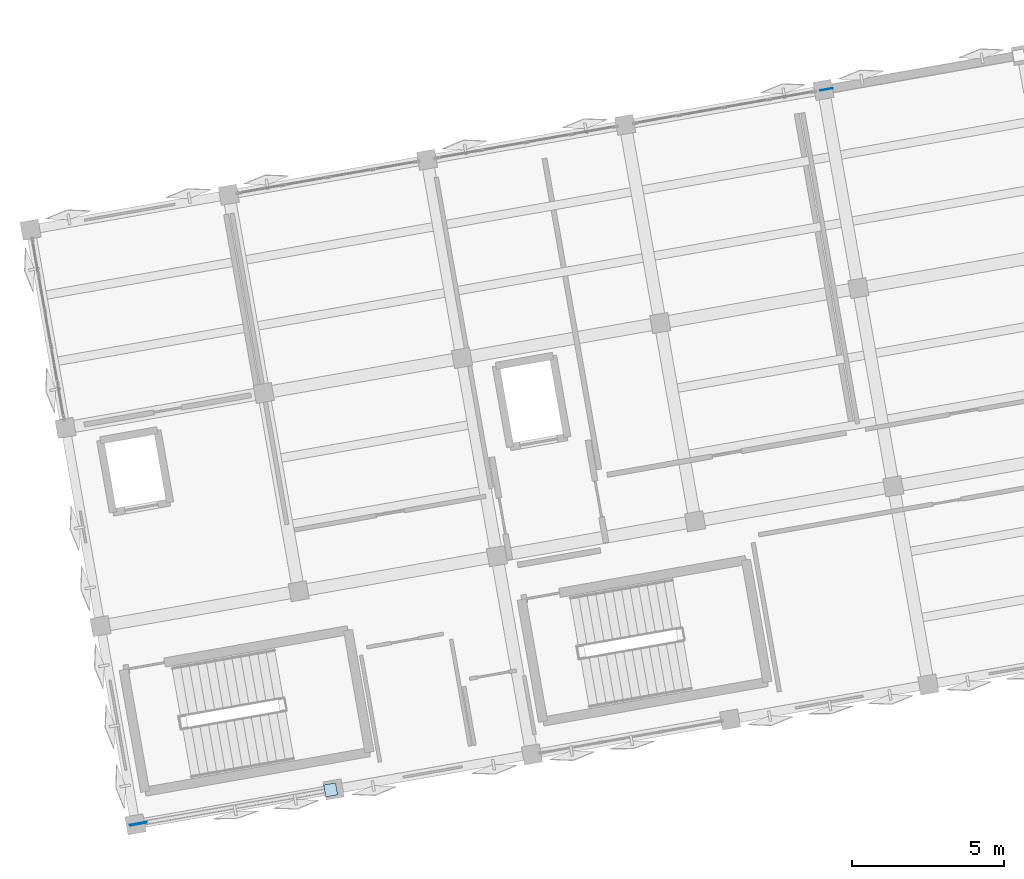
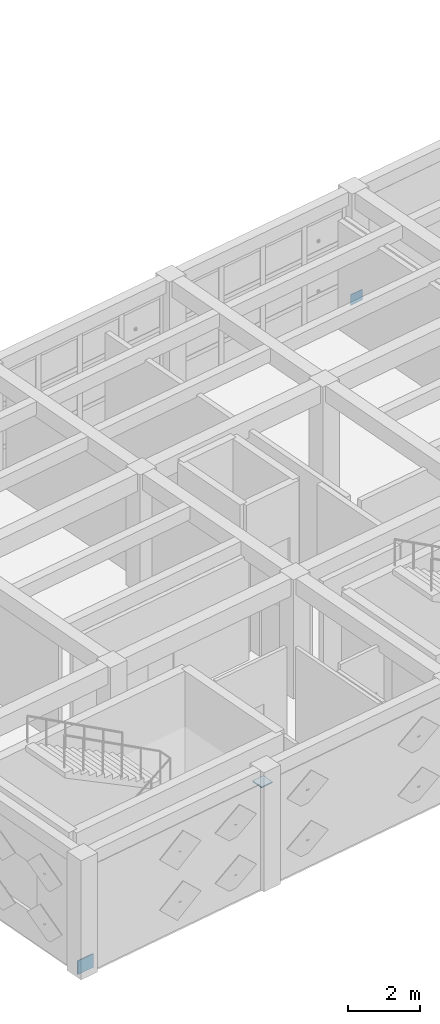
# One storey, part 12 of 18: 3 plates.
"""IFC4 building model written with IfcOpenShell, lengths in metres."""

from ifc_helpers import new_model, si_unit, direction, frame, origin, origin_2d, place, context, subcontext, project, spatial, rectangle, extrude, material, layer, layer_set, type_object, element, save


model = new_model("IFC4")

# Units and contexts
model_context = context("Model", 3, precision=1e-05, world=origin(), true_north=direction((0.0, 1.0)))
body_context = subcontext(model_context, "Body", "Model", "MODEL_VIEW")
ifc_project = project(units=[si_unit("LENGTHUNIT", "METRE"), si_unit("AREAUNIT", "SQUARE_METRE"), si_unit("VOLUMEUNIT", "CUBIC_METRE"), si_unit("PLANEANGLEUNIT", "RADIAN"), si_unit("MASSUNIT", "GRAM", prefix="KILO")], contexts=[model_context])

# Site, building, storey
site_placement = place(None, origin())
site = spatial("IfcSite", under=ifc_project, at=site_placement, CompositionType="ELEMENT")
building_placement = place(site_placement, origin())
building = spatial("IfcBuilding", under=site, at=building_placement, Name="Kharisveld Research Institute", CompositionType="ELEMENT")
storey_placement = place(building_placement, frame((0.0, 0.0, 36.60009765625)))
storey = spatial("IfcBuildingStorey", under=building, at=storey_placement, Name="L08", CompositionType="ELEMENT", Elevation=36.60009765625)

# Plates
ifc_material_1 = material(Name="Steel S355JR", Category="steel")
ifc_layer_1 = layer(ifc_material_1, 0.030029296875)
ifc_layer_set_1 = layer_set([ifc_layer_1], Name="PL_CAP_E")
plate_type_1 = type_object("IfcPlateType", Name="PL_CAP_E", PredefinedType="SHEET", material=ifc_layer_set_1)
plate_1_placement = place(storey_placement, frame((11.601318359375, 36.138671875, 3.455078125), z_axis=(0.0, 0.0, 1.0), x_axis=(0.984807753012, 0.173648177667, 0.0)))
element("IfcPlate", 1, at=plate_1_placement, inside=storey, type_object=plate_type_1, Name="PLT:V1:L08:CAP_0_0", PredefinedType="SHEET", context=body_context, shape_type="SweptSolid", body=[
    extrude(rectangle(XDim=0.39990234375, YDim=0.39990234375, at=origin_2d()), origin(), (0.0, 0.0, 1.0), 0.030029296875),
])
ifc_material_2 = material(Name="Steel S355JR", Category="steel")
ifc_layer_2 = layer(ifc_material_2, 0.01611328125)
ifc_layer_set_2 = layer_set([ifc_layer_2], Name="PL_GUS_A")
plate_type_2 = type_object("IfcPlateType", Name="PL_GUS_A", PredefinedType="USERDEFINED", material=ifc_layer_set_2)
plate_2_placement = place(storey_placement, frame((27.859130859375, 59.11083984375, 0.02001953125), z_axis=(0.0, 0.0, 1.0), x_axis=(0.984807753012, 0.173648177667, 0.0)))
element("IfcPlate", 2, at=plate_2_placement, inside=storey, type_object=plate_type_2, Name="PLT:V1:L08:GUS_4_3", ObjectType="GUSSET PLATE", PredefinedType="USERDEFINED", context=body_context, shape_type="SweptSolid", body=[
    extrude(rectangle(XDim=0.419921875, YDim=0.01611328125, at=origin_2d()), origin(), (0.0, 0.0, 1.0), 0.360107421875),
])
ifc_material_3 = material(Name="Steel S355JR", Category="steel")
ifc_layer_3 = layer(ifc_material_3, 0.031982421875)
ifc_layer_set_3 = layer_set([ifc_layer_3], Name="PL_GUS_E")
plate_type_3 = type_object("IfcPlateType", Name="PL_GUS_E", PredefinedType="USERDEFINED", material=ifc_layer_set_3)
plate_3_placement = place(storey_placement, frame((5.298583984375, 35.02734375, -0.030029296875), z_axis=(0.0, 0.0, 1.0), x_axis=(0.984807753012, 0.173648177667, 0.0)))
element("IfcPlate", 3, at=plate_3_placement, inside=storey, type_object=plate_type_3, Name="PLT:V1:L08:GUS_0_0", ObjectType="GUSSET PLATE", PredefinedType="USERDEFINED", context=body_context, shape_type="SweptSolid", body=[
    extrude(rectangle(XDim=0.56005859375, YDim=0.031982421875, at=origin_2d()), origin(), (0.0, 0.0, 1.0), 0.4599609375),
])

save(model, "model.ifc")
